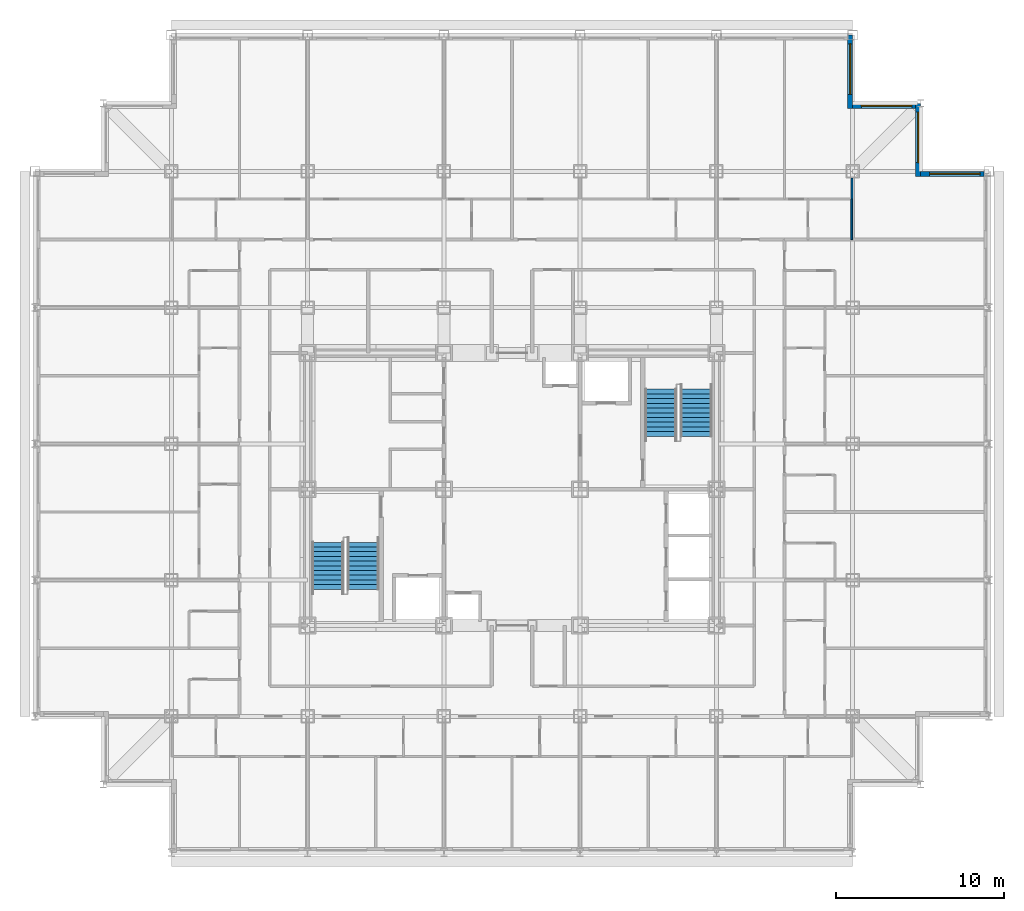
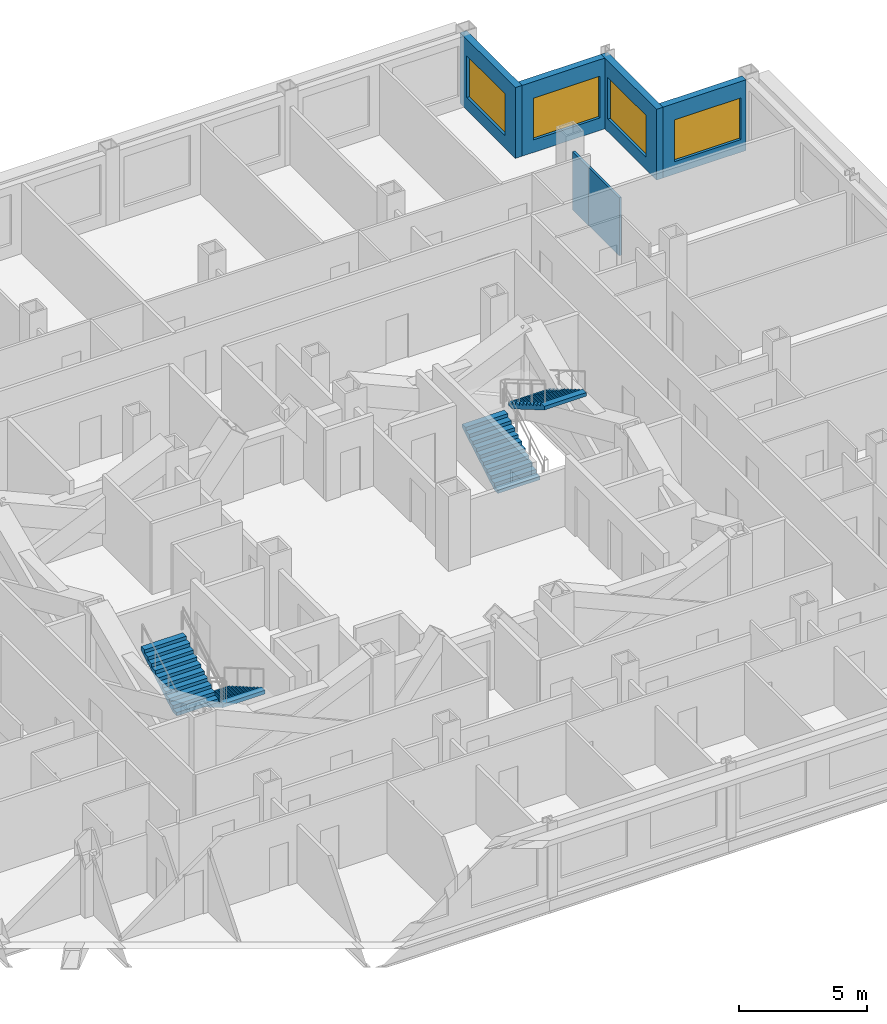
# One storey, part 11 of 12: 6 walls, 4 stair flights, 4 windows, 4 openings, 2 elements without a shape of their own.
"""IFC4 building model written with IfcOpenShell, lengths in metres."""

from ifc_helpers import new_model, si_unit, direction, frame, frame_2d, origin, place, context, subcontext, project, spatial, rectangle, extrude, polygons, source, transform, mapped, material, layer, layer_set, type_object, element, fill, aggregate, save


model = new_model("IFC4")

# Units and contexts
model_context = context("Model", 3, precision=1e-05, world=origin(), true_north=direction((0.0, 1.0)))
body_context = subcontext(model_context, "Body", "Model", "MODEL_VIEW")
ifc_project = project(units=[si_unit("LENGTHUNIT", "METRE"), si_unit("AREAUNIT", "SQUARE_METRE"), si_unit("VOLUMEUNIT", "CUBIC_METRE"), si_unit("PLANEANGLEUNIT", "RADIAN"), si_unit("MASSUNIT", "GRAM", prefix="KILO")], contexts=[model_context])

# Site, building, storey
site_placement = place(None, origin())
site = spatial("IfcSite", under=ifc_project, at=site_placement, CompositionType="ELEMENT")
building_placement = place(site_placement, origin())
building = spatial("IfcBuilding", under=site, at=building_placement, Name="Kopane Lantern Tower", CompositionType="ELEMENT")
storey_placement = place(building_placement, frame((0.0, 0.0, 188.39990234375)))
storey = spatial("IfcBuildingStorey", under=building, at=storey_placement, Name="L48", CompositionType="ELEMENT", Elevation=188.39990234375)

# Walls
ifc_material_1 = material(Name="Gypsum board on steel studs", Category="steel")
ifc_layer_1 = layer(ifc_material_1, 0.1201171875)
ifc_layer_set_1 = layer_set([ifc_layer_1], Name="APARTMENT INTERNAL WALL 120")
wall_type_1 = type_object("IfcWallType", Name="APARTMENT INTERNAL WALL 120", PredefinedType="PARTITIONING", material=ifc_layer_set_1)
wall_1_placement = place(storey_placement, frame((48.550048828125, 49.64990234375, 0.0), z_axis=(0.0, 0.0, 1.0), x_axis=(0.0, 1.0, 0.0)))
element("IfcWall", 1, at=wall_1_placement, inside=storey, type_object=wall_type_1, Name="Apartment Internal Wall 120 L48", PredefinedType="PARTITIONING", context=body_context, shape_type="SweptSolid", body=[
    extrude(rectangle(XDim=1.25, YDim=0.1201171875, at=frame_2d((0.625, 0.0))), origin(), (0.0, 0.0, 1.0), 2.77783203125),
])
ifc_material_2 = material(Name="Moisture-resistant board on steel studs", Category="steel")
ifc_layer_2 = layer(ifc_material_2, 0.10009765625)
ifc_layer_set_2 = layer_set([ifc_layer_2], Name="BATHROOM WALL 100")
wall_type_2 = type_object("IfcWallType", Name="BATHROOM WALL 100", PredefinedType="PARTITIONING", material=ifc_layer_set_2)
wall_2_placement = place(storey_placement, frame((48.550048828125, 47.25, 0.0), z_axis=(0.0, 0.0, 1.0), x_axis=(0.0, 1.0, 0.0)))
element("IfcWall", 2, at=wall_2_placement, inside=storey, type_object=wall_type_2, Name="Bathroom Wall 100 L48", PredefinedType="PARTITIONING", context=body_context, shape_type="SweptSolid", body=[
    extrude(rectangle(XDim=2.39990234375, YDim=0.10009765625, at=frame_2d((1.199951171875, 0.0))), origin(), (0.0, 0.0, 1.0), 2.77783203125),
])

# Wall, opening, window
ifc_material_3 = material(Name="Terracotta rainscreen on light steel framing", Category="masonry")
ifc_layer_3 = layer(ifc_material_3, 0.300048828125)
ifc_layer_set_3 = layer_set([ifc_layer_3], Name="EXTERNAL WALL EW1 300 TERRACOTTA")
wall_type_3 = type_object("IfcWallType", Name="EXTERNAL WALL EW1 300 TERRACOTTA", PredefinedType="SOLIDWALL", material=ifc_layer_set_3)
wall_3_placement = place(storey_placement, frame((56.39990234375, 51.14990234375, 0.0), z_axis=(0.0, 0.0, 1.0), x_axis=(-1.0, 0.0, 0.0)))
wall_3 = element("IfcWall", 3, at=wall_3_placement, inside=storey, type_object=wall_type_3, Name="External wall N L48", PredefinedType="SOLIDWALL", context=body_context, shape_type="SweptSolid", body=[
    extrude(rectangle(XDim=3.75, YDim=0.300048828125, at=frame_2d((1.875, 0.0))), origin(), (0.0, 0.0, 1.0), 3.39013671875),
])
opening_1_placement = place(wall_3_placement, frame((0.22509765625, 0.0, 0.60009765625)))
opening_1 = element("IfcOpeningElement", 4, at=opening_1_placement, cuts=wall_3, Name="Opening WR300200", PredefinedType="OPENING", context=body_context, shape_type="SweptSolid", body=[
    extrude(rectangle(XDim=3.0, YDim=2.0, at=frame_2d((1.5, 1.0))), frame((0.0, 0.159912109375, 0.0), z_axis=(0.0, -1.0, 0.0), x_axis=(1.0, 0.0, 0.0)), (0.0, 0.0, 1.0), 0.320068359375),
])
ifc_material_4 = material(Name="Aluminium and clear glass", Category="aluminium")
window_type = type_object("IfcWindowType", Name="RIBBON WINDOW WR300200 3000x2000", PartitioningType="SINGLE_PANEL", PredefinedType="WINDOW", material=ifc_material_4)
window_1_placement = place(opening_1_placement, origin())
window_1 = element("IfcWindow", 5, at=window_1_placement, inside=storey, type_object=window_type, Name="Window N L48", OverallHeight=2.0, OverallWidth=3.0, PartitioningType="SINGLE_PANEL", PredefinedType="WINDOW", context=body_context, shape_type="SweptSolid", body=[
    extrude(rectangle(XDim=3.0, YDim=2.0, at=frame_2d((1.5, 1.0))), frame((0.0, 0.030029296875, 0.0), z_axis=(0.0, -1.0, 0.0), x_axis=(1.0, 0.0, 0.0)), (0.0, 0.0, 1.0), 0.06005859375),
])
fill(opening_1, window_1)

wall_4_placement = place(storey_placement, frame((52.5, 51.0, 0.0), z_axis=(0.0, 0.0, 1.0), x_axis=(0.0, 1.0, 0.0)))
wall_4 = element("IfcWall", 6, at=wall_4_placement, inside=storey, type_object=wall_type_3, Name="External wall E L48", PredefinedType="SOLIDWALL", context=body_context, shape_type="SweptSolid", body=[
    extrude(rectangle(XDim=4.35009765625, YDim=0.300048828125, at=frame_2d((2.175048828125, 0.0))), origin(), (0.0, 0.0, 1.0), 3.39013671875),
])
opening_2_placement = place(wall_4_placement, frame((0.824951171875, 0.0, 0.60009765625)))
opening_2 = element("IfcOpeningElement", 7, at=opening_2_placement, cuts=wall_4, Name="Opening WR300200", PredefinedType="OPENING", context=body_context, shape_type="SweptSolid", body=[
    extrude(rectangle(XDim=3.0, YDim=2.0, at=frame_2d((1.5, 1.0))), frame((0.0, 0.159912109375, 0.0), z_axis=(0.0, -1.0, 0.0), x_axis=(1.0, 0.0, 0.0)), (0.0, 0.0, 1.0), 0.320068359375),
])
window_2_placement = place(opening_2_placement, origin())
window_2 = element("IfcWindow", 8, at=window_2_placement, inside=storey, type_object=window_type, Name="Window E L48", OverallHeight=2.0, OverallWidth=3.0, PartitioningType="SINGLE_PANEL", PredefinedType="WINDOW", context=body_context, shape_type="SweptSolid", body=[
    extrude(rectangle(XDim=3.0, YDim=2.0, at=frame_2d((1.5, 1.0))), frame((0.0, 0.030029296875, 0.0), z_axis=(0.0, -1.0, 0.0), x_axis=(1.0, 0.0, 0.0)), (0.0, 0.0, 1.0), 0.06005859375),
])
fill(opening_2, window_2)

wall_5_placement = place(storey_placement, frame((52.35009765625, 55.199951171875, 0.0), z_axis=(0.0, 0.0, 1.0), x_axis=(-1.0, 0.0, 0.0)))
wall_5 = element("IfcWall", 9, at=wall_5_placement, inside=storey, type_object=wall_type_3, Name="External wall N L48", PredefinedType="SOLIDWALL", context=body_context, shape_type="SweptSolid", body=[
    extrude(rectangle(XDim=3.75, YDim=0.300048828125, at=frame_2d((1.875, 0.0))), origin(), (0.0, 0.0, 1.0), 3.39013671875),
])
opening_3_placement = place(wall_5_placement, frame((0.22509765625, 0.0, 0.60009765625)))
opening_3 = element("IfcOpeningElement", 10, at=opening_3_placement, cuts=wall_5, Name="Opening WR300200", PredefinedType="OPENING", context=body_context, shape_type="SweptSolid", body=[
    extrude(rectangle(XDim=3.0, YDim=2.0, at=frame_2d((1.5, 1.0))), frame((0.0, 0.159912109375, 0.0), z_axis=(0.0, -1.0, 0.0), x_axis=(1.0, 0.0, 0.0)), (0.0, 0.0, 1.0), 0.320068359375),
])
window_3_placement = place(opening_3_placement, origin())
window_3 = element("IfcWindow", 11, at=window_3_placement, inside=storey, type_object=window_type, Name="Window N L48", OverallHeight=2.0, OverallWidth=3.0, PartitioningType="SINGLE_PANEL", PredefinedType="WINDOW", context=body_context, shape_type="SweptSolid", body=[
    extrude(rectangle(XDim=3.0, YDim=2.0, at=frame_2d((1.5, 1.0))), frame((0.0, 0.030029296875, 0.0), z_axis=(0.0, -1.0, 0.0), x_axis=(1.0, 0.0, 0.0)), (0.0, 0.0, 1.0), 0.06005859375),
])
fill(opening_3, window_3)

wall_6_placement = place(storey_placement, frame((48.449951171875, 55.050048828125, 0.0), z_axis=(0.0, 0.0, 1.0), x_axis=(0.0, 1.0, 0.0)))
wall_6 = element("IfcWall", 12, at=wall_6_placement, inside=storey, type_object=wall_type_3, Name="External wall E L48", PredefinedType="SOLIDWALL", context=body_context, shape_type="SweptSolid", body=[
    extrude(rectangle(XDim=4.349853515625, YDim=0.300048828125, at=frame_2d((2.1748046875, 0.0))), origin(), (0.0, 0.0, 1.0), 3.39013671875),
])
opening_4_placement = place(wall_6_placement, frame((0.824951171875, 0.0, 0.60009765625)))
opening_4 = element("IfcOpeningElement", 13, at=opening_4_placement, cuts=wall_6, Name="Opening WR300200", PredefinedType="OPENING", context=body_context, shape_type="SweptSolid", body=[
    extrude(rectangle(XDim=3.0, YDim=2.0, at=frame_2d((1.5, 1.0))), frame((0.0, 0.159912109375, 0.0), z_axis=(0.0, -1.0, 0.0), x_axis=(1.0, 0.0, 0.0)), (0.0, 0.0, 1.0), 0.320068359375),
])
window_4_placement = place(opening_4_placement, origin())
window_4 = element("IfcWindow", 14, at=window_4_placement, inside=storey, type_object=window_type, Name="Window E L48", OverallHeight=2.0, OverallWidth=3.0, PartitioningType="SINGLE_PANEL", PredefinedType="WINDOW", context=body_context, shape_type="SweptSolid", body=[
    extrude(rectangle(XDim=3.0, YDim=2.0, at=frame_2d((1.5, 1.0))), frame((0.0, 0.030029296875, 0.0), z_axis=(0.0, -1.0, 0.0), x_axis=(1.0, 0.0, 0.0)), (0.0, 0.0, 1.0), 0.06005859375),
])
fill(opening_4, window_4)

# Stair, stair flights
ifc_material_5 = material(Name="Steel S355JR", Category="steel")
stair_type = type_object("IfcStairType", Name="EXIT STAIR 1900 HALF TURN", PredefinedType="HALF_TURN_STAIR", material=ifc_material_5)
stair_1_placement = place(storey_placement, origin())
stair_1 = element("IfcStair", 15, at=stair_1_placement, inside=storey, type_object=stair_type, Name="Exit stair ST1 L48", PredefinedType="HALF_TURN_STAIR")
ifc_material_6 = material(Name="Steel S355JR", Category="steel")
stair_flight_type = type_object("IfcStairFlightType", Name="STAIR FLIGHT 1900 STEEL", PredefinedType="STRAIGHT", material=ifc_material_6)
shared_shape = source(origin(), body_context, "Body", "Tessellation", [
    polygons([(2.800048828, 0.949951172, 1.636474609), (2.520019531, 0.949951172, 1.636474609), (2.520019531, -0.949951172, 1.636474609), (2.800048828, -0.949951172, 1.636474609), (0.297119141, 0.949951172, 0.0), (2.800048828, 0.949951172, 1.462646484), (2.800048828, -0.949951172, 1.462646484), (0.297119141, -0.949951172, 0.0), (0.0, 0.949951172, 0.0), (0.0, -0.949951172, 0.0), (0.280029297, 0.949951172, 0.163574219), (0.0, 0.949951172, 0.163574219), (0.0, -0.949951172, 0.163574219), (0.280029297, -0.949951172, 0.163574219), (0.280029297, 0.949951172, 0.327392578), (0.280029297, -0.949951172, 0.327392578), (0.560058594, 0.949951172, 0.327392578), (0.560058594, -0.949951172, 0.327392578), (0.560058594, 0.949951172, 0.490966797), (0.560058594, -0.949951172, 0.490966797), (0.840087891, 0.949951172, 0.490966797), (0.840087891, -0.949951172, 0.490966797), (0.840087891, 0.949951172, 0.654541016), (0.840087891, -0.949951172, 0.654541016), (1.120117188, 0.949951172, 0.654541016), (1.120117188, -0.949951172, 0.654541016), (1.120117188, 0.949951172, 0.818115234), (1.120117188, -0.949951172, 0.818115234), (1.399902344, 0.949951172, 0.818115234), (1.399902344, -0.949951172, 0.818115234), (1.399902344, 0.949951172, 0.981933594), (1.399902344, -0.949951172, 0.981933594), (1.679931641, 0.949951172, 0.981933594), (1.679931641, -0.949951172, 0.981933594), (1.679931641, 0.949951172, 1.145507812), (1.679931641, -0.949951172, 1.145507812), (1.959960938, 0.949951172, 1.145507812), (1.959960938, -0.949951172, 1.145507812), (1.959960938, 0.949951172, 1.309082031), (1.959960938, -0.949951172, 1.309082031), (2.239990234, 0.949951172, 1.309082031), (2.239990234, -0.949951172, 1.309082031), (2.239990234, 0.949951172, 1.47265625), (2.239990234, -0.949951172, 1.47265625), (2.520019531, 0.949951172, 1.47265625), (2.520019531, -0.949951172, 1.47265625), (0.0, 0.0, 0.004420925), (0.0, 0.0, 0.00884185), (0.0, 0.0, 0.013262774), (0.0, 0.0, 0.017683699), (0.0, 0.0, 0.022104624), (0.0, 0.0, 0.026525549), (0.0, 0.0, 0.030946474), (0.0, 0.0, 0.035367399), (0.0, 0.0, 0.039788323), (0.0, 0.0, 0.044209248), (0.0, 0.0, 0.048630173), (0.0, 0.0, 0.053051098), (0.0, 0.0, 0.057472023), (0.0, 0.0, 0.061892948), (0.0, 0.0, 0.066313872), (0.0, 0.0, 0.070734797), (0.0, 0.0, 0.075155722), (0.0, 0.0, 0.079576647), (0.0, 0.0, 0.083997572), (0.0, 0.0, 0.088418497), (0.0, 0.0, 0.092839421), (0.0, 0.0, 0.097260346), (0.0, 0.0, 0.101681271), (0.0, 0.0, 0.106102196), (0.0, 0.0, 0.110523121), (0.0, 0.0, 0.114944046), (0.0, 0.0, 0.11936497), (0.0, 0.0, 0.123785895), (0.0, 0.0, 0.12820682), (0.0, 0.0, 0.132627745), (0.0, 0.0, 0.13704867), (0.0, 0.0, 0.141469595), (0.0, 0.0, 0.145890519), (0.0, 0.0, 0.150311444), (0.0, 0.0, 0.154732369), (0.0, 0.0, 0.159153294), (2.800048828, 0.0, 1.467344542), (2.800048828, 0.0, 1.472042599), (2.800048828, 0.0, 1.476740657), (2.800048828, 0.0, 1.481438714), (2.800048828, 0.0, 1.486136772), (2.800048828, 0.0, 1.490834829), (2.800048828, 0.0, 1.495532886), (2.800048828, 0.0, 1.500230944), (2.800048828, 0.0, 1.504929001), (2.800048828, 0.0, 1.509627059), (2.800048828, 0.0, 1.514325116), (2.800048828, 0.0, 1.519023174), (2.800048828, 0.0, 1.523721231), (2.800048828, 0.0, 1.528419288), (2.800048828, 0.0, 1.533117346), (2.800048828, 0.0, 1.537815403), (2.800048828, 0.0, 1.542513461), (2.800048828, 0.0, 1.547211518), (2.800048828, 0.0, 1.551909576), (2.800048828, 0.0, 1.556607633), (2.800048828, 0.0, 1.56130569), (2.800048828, 0.0, 1.566003748), (2.800048828, 0.0, 1.570701805), (2.800048828, 0.0, 1.575399863), (2.800048828, 0.0, 1.58009792), (2.800048828, 0.0, 1.584795978), (2.800048828, 0.0, 1.589494035), (2.800048828, 0.0, 1.594192092), (2.800048828, 0.0, 1.59889015), (2.800048828, 0.0, 1.603588207), (2.800048828, 0.0, 1.608286265), (2.800048828, 0.0, 1.612984322), (2.800048828, 0.0, 1.61768238), (2.800048828, 0.0, 1.622380437), (2.800048828, 0.0, 1.627078495), (2.800048828, 0.0, 1.631776552)], [[[1, 2, 3]], [[1, 3, 4]], [[5, 6, 7]], [[5, 7, 8]], [[9, 5, 8]], [[9, 8, 10]], [[11, 12, 13]], [[11, 13, 14]], [[15, 11, 14]], [[15, 14, 16]], [[17, 15, 16]], [[17, 16, 18]], [[19, 17, 18]], [[19, 18, 20]], [[21, 19, 20]], [[21, 20, 22]], [[23, 21, 22]], [[23, 22, 24]], [[25, 23, 24]], [[25, 24, 26]], [[27, 25, 26]], [[27, 26, 28]], [[29, 27, 28]], [[29, 28, 30]], [[31, 29, 30]], [[31, 30, 32]], [[33, 31, 32]], [[33, 32, 34]], [[35, 33, 34]], [[35, 34, 36]], [[37, 35, 36]], [[37, 36, 38]], [[39, 37, 38]], [[39, 38, 40]], [[41, 39, 40]], [[41, 40, 42]], [[43, 41, 42]], [[43, 42, 44]], [[45, 43, 44]], [[45, 44, 46]], [[2, 45, 46]], [[2, 46, 3]], [[45, 1, 6]], [[41, 45, 6]], [[2, 1, 45]], [[37, 41, 6]], [[43, 45, 41]], [[39, 41, 37]], [[35, 37, 33]], [[31, 33, 29]], [[27, 29, 25]], [[5, 21, 25]], [[17, 21, 5]], [[23, 25, 21]], [[11, 17, 5]], [[19, 21, 17]], [[9, 11, 5]], [[15, 17, 11]], [[12, 11, 9]], [[6, 5, 25]], [[6, 25, 29]], [[6, 29, 33]], [[6, 33, 37]], [[7, 4, 46]], [[7, 46, 42]], [[46, 4, 3]], [[7, 42, 38]], [[42, 46, 44]], [[38, 42, 40]], [[34, 38, 36]], [[30, 34, 32]], [[26, 30, 28]], [[26, 22, 8]], [[8, 22, 18]], [[22, 26, 24]], [[8, 18, 14]], [[18, 22, 20]], [[8, 14, 10]], [[14, 18, 16]], [[10, 14, 13]], [[26, 8, 7]], [[30, 26, 7]], [[34, 30, 7]], [[38, 34, 7]], [[10, 47, 9]], [[10, 48, 47]], [[9, 47, 48]], [[10, 49, 48]], [[9, 48, 49]], [[10, 50, 49]], [[9, 49, 50]], [[10, 51, 50]], [[9, 50, 51]], [[10, 52, 51]], [[9, 51, 52]], [[10, 53, 52]], [[9, 52, 53]], [[10, 54, 53]], [[9, 53, 54]], [[10, 55, 54]], [[9, 54, 55]], [[10, 56, 55]], [[9, 55, 56]], [[10, 57, 56]], [[9, 56, 57]], [[10, 58, 57]], [[9, 57, 58]], [[10, 59, 58]], [[9, 58, 59]], [[10, 60, 59]], [[9, 59, 60]], [[10, 61, 60]], [[9, 60, 61]], [[10, 62, 61]], [[9, 61, 62]], [[10, 63, 62]], [[9, 62, 63]], [[10, 64, 63]], [[9, 63, 64]], [[10, 65, 64]], [[9, 64, 65]], [[10, 66, 65]], [[9, 65, 66]], [[10, 67, 66]], [[9, 66, 67]], [[10, 68, 67]], [[9, 67, 68]], [[10, 69, 68]], [[9, 68, 69]], [[10, 70, 69]], [[9, 69, 70]], [[10, 71, 70]], [[9, 70, 71]], [[10, 72, 71]], [[9, 71, 72]], [[10, 73, 72]], [[9, 72, 73]], [[10, 74, 73]], [[9, 73, 74]], [[10, 75, 74]], [[9, 74, 75]], [[10, 76, 75]], [[9, 75, 76]], [[10, 77, 76]], [[9, 76, 77]], [[10, 78, 77]], [[9, 77, 78]], [[10, 79, 78]], [[9, 78, 79]], [[10, 80, 79]], [[9, 79, 80]], [[10, 81, 80]], [[9, 80, 81]], [[10, 82, 81]], [[9, 81, 82]], [[10, 13, 82]], [[82, 13, 12]], [[9, 82, 12]], [[7, 6, 83]], [[7, 83, 84]], [[6, 84, 83]], [[7, 84, 85]], [[6, 85, 84]], [[7, 85, 86]], [[6, 86, 85]], [[7, 86, 87]], [[6, 87, 86]], [[7, 87, 88]], [[6, 88, 87]], [[7, 88, 89]], [[6, 89, 88]], [[7, 89, 90]], [[6, 90, 89]], [[7, 90, 91]], [[6, 91, 90]], [[7, 91, 92]], [[6, 92, 91]], [[7, 92, 93]], [[6, 93, 92]], [[7, 93, 94]], [[6, 94, 93]], [[7, 94, 95]], [[6, 95, 94]], [[7, 95, 96]], [[6, 96, 95]], [[7, 96, 97]], [[6, 97, 96]], [[7, 97, 98]], [[6, 98, 97]], [[7, 98, 99]], [[6, 99, 98]], [[7, 99, 100]], [[6, 100, 99]], [[7, 100, 101]], [[6, 101, 100]], [[7, 101, 102]], [[6, 102, 101]], [[7, 102, 103]], [[6, 103, 102]], [[7, 103, 104]], [[6, 104, 103]], [[7, 104, 105]], [[6, 105, 104]], [[7, 105, 106]], [[6, 106, 105]], [[7, 106, 107]], [[6, 107, 106]], [[7, 107, 108]], [[6, 108, 107]], [[7, 108, 109]], [[6, 109, 108]], [[7, 109, 110]], [[6, 110, 109]], [[7, 110, 111]], [[6, 111, 110]], [[7, 111, 112]], [[6, 112, 111]], [[7, 112, 113]], [[6, 113, 112]], [[7, 113, 114]], [[6, 114, 113]], [[7, 114, 115]], [[6, 115, 114]], [[7, 115, 116]], [[6, 116, 115]], [[7, 116, 117]], [[6, 117, 116]], [[7, 117, 118]], [[6, 118, 117]], [[7, 118, 4]], [[118, 1, 4]], [[6, 1, 118]]], closed=True),
])
stair_flight_1_placement = place(storey_placement, frame((19.5, 29.25, 0.0), z_axis=(0.0, 0.0, 1.0), x_axis=(0.0, -1.0, 0.0)))
stair_flight_1 = element("IfcStairFlight", 16, at=stair_flight_1_placement, type_object=stair_flight_type, Name="ST1 flight 1", NumberOfRisers=11, NumberOfTreads=10, PredefinedType="STRAIGHT", RiserHeight=0.163636364, TreadLength=0.28, context=body_context, shape_type="MappedRepresentation", body=[
    mapped(shared_shape, transform((0.0, 0.0, 0.0))),
])
stair_flight_2_placement = place(storey_placement, frame((17.39990234375, 26.449951171875, 1.800048828125), z_axis=(0.0, 0.0, 1.0), x_axis=(0.0, 1.0, 0.0)))
stair_flight_2 = element("IfcStairFlight", 17, at=stair_flight_2_placement, type_object=stair_flight_type, Name="ST1 flight 2", NumberOfRisers=11, NumberOfTreads=10, PredefinedType="STRAIGHT", RiserHeight=0.163636364, TreadLength=0.28, context=body_context, shape_type="MappedRepresentation", body=[
    mapped(shared_shape, transform((0.0, 0.0, 0.0))),
])
aggregate(stair_1, [stair_flight_1, stair_flight_2])

stair_2_placement = place(storey_placement, origin())
stair_2 = element("IfcStair", 18, at=stair_2_placement, inside=storey, type_object=stair_type, Name="Exit stair ST2 L48", PredefinedType="HALF_TURN_STAIR")
stair_flight_3_placement = place(storey_placement, frame((37.199951171875, 35.550048828125, 0.0), z_axis=(0.0, 0.0, 1.0), x_axis=(0.0, 1.0, 0.0)))
stair_flight_3 = element("IfcStairFlight", 19, at=stair_flight_3_placement, type_object=stair_flight_type, Name="ST2 flight 1", NumberOfRisers=11, NumberOfTreads=10, PredefinedType="STRAIGHT", RiserHeight=0.163636364, TreadLength=0.28, context=body_context, shape_type="MappedRepresentation", body=[
    mapped(shared_shape, transform((0.0, 0.0, 0.0))),
])
stair_flight_4_placement = place(storey_placement, frame((39.300048828125, 38.35009765625, 1.800048828125), z_axis=(0.0, 0.0, 1.0), x_axis=(0.0, -1.0, 0.0)))
stair_flight_4 = element("IfcStairFlight", 20, at=stair_flight_4_placement, type_object=stair_flight_type, Name="ST2 flight 2", NumberOfRisers=11, NumberOfTreads=10, PredefinedType="STRAIGHT", RiserHeight=0.163636364, TreadLength=0.28, context=body_context, shape_type="MappedRepresentation", body=[
    mapped(shared_shape, transform((0.0, 0.0, 0.0))),
])
aggregate(stair_2, [stair_flight_3, stair_flight_4])

save(model, "model.ifc")
